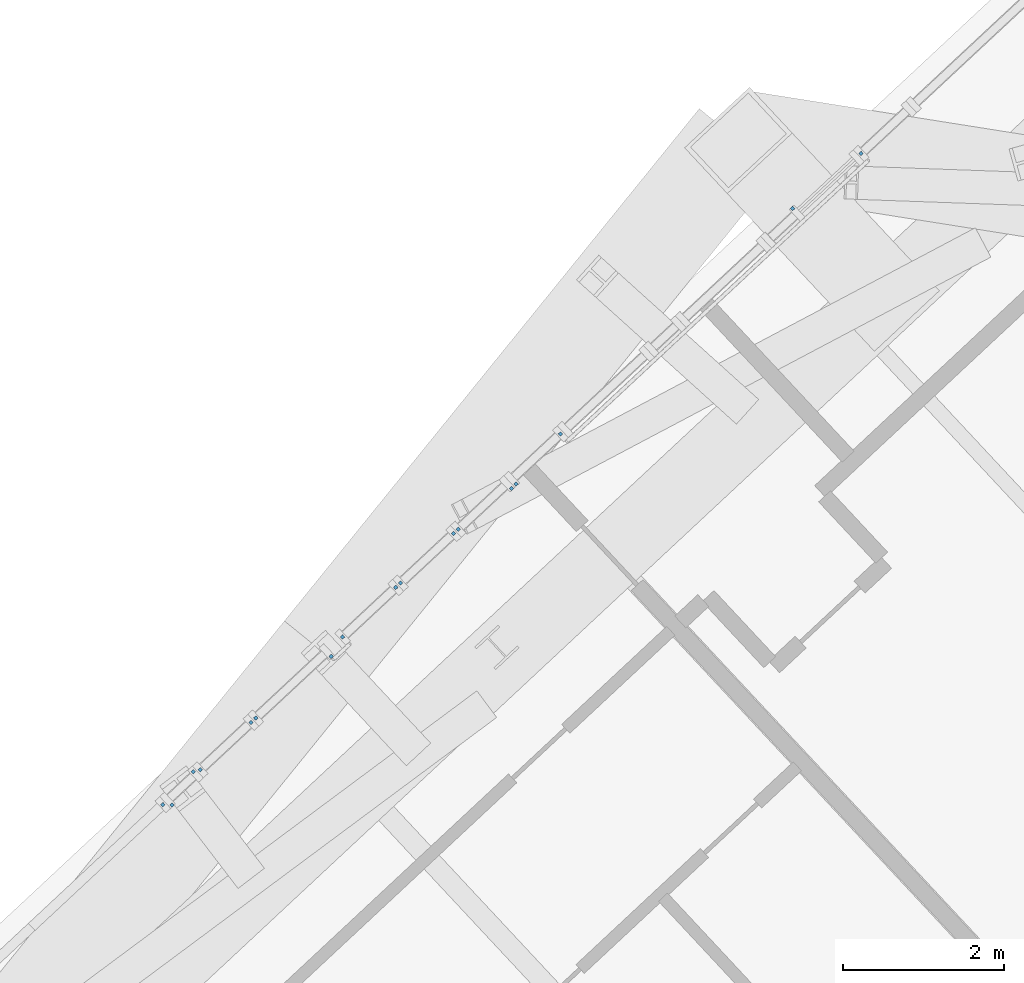
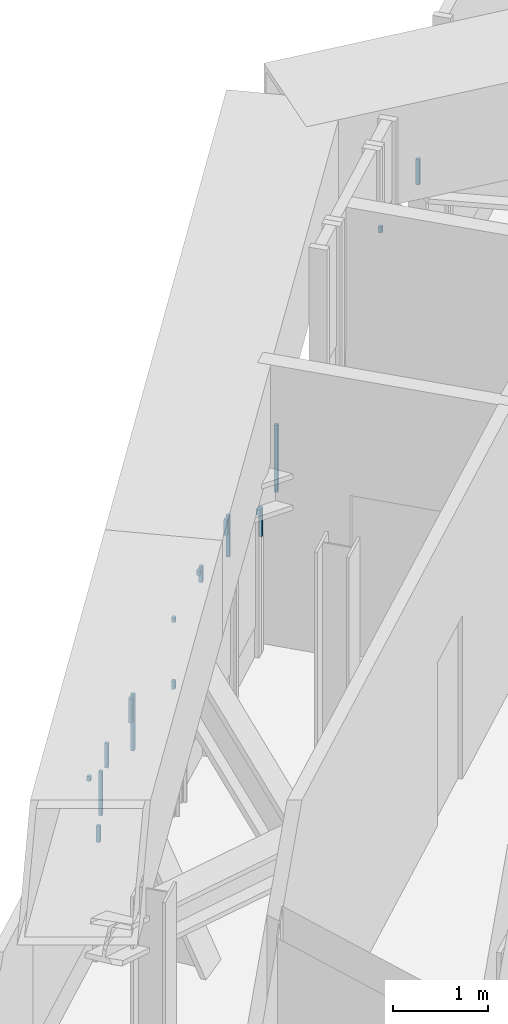
# One storey, part 25 of 31: 17 discrete accessories.
"""IFC4 building model written with IfcOpenShell, lengths in metres."""

import ifcopenshell
import ifcopenshell.guid

model = None  # the IFC model being written
_history = None  # IfcOwnerHistory: only IFC2X3 demands one
_inside = {}  # id of a spatial element -> (the spatial element, [elements in it])
_under = {}  # id of a project, library or spatial element -> (it, [spatial elements below it])
_declared = {}  # id of a project -> (the project, [libraries it declares])
_typed = {}  # id of a type object -> (the type object, [elements of that type])
_made_of = {}  # id of a material, layer set ... -> (it, [elements and type objects made of it])


def new_model(schema):
    """Start an empty IFC model of exactly this schema.

    Asked for "IFC4X3", IfcOpenShell would pick the latest addendum, in which some entities
    have other attributes; the version numbers below select the first issue.
    IFC2X3 requires an IfcOwnerHistory on every rooted entity: one is made here for all.
    """
    global model, _history
    if schema == "IFC4X3":
        model = ifcopenshell.file(schema_version=(4, 3, 0, 0))
    else:
        model = ifcopenshell.file(schema=schema)
    _inside.clear()
    _under.clear()
    _declared.clear()
    _typed.clear()
    _made_of.clear()
    _history = None
    if model.schema == "IFC2X3":
        org = make("IfcOrganization", Name="unknown")
        user = make(
            "IfcPersonAndOrganization",
            ThePerson=make("IfcPerson", FamilyName="unknown"),
            TheOrganization=org,
        )
        app = make(
            "IfcApplication",
            ApplicationDeveloper=org,
            Version="unknown",
            ApplicationFullName="unknown",
            ApplicationIdentifier="unknown",
        )
        _history = make(
            "IfcOwnerHistory",
            OwningUser=user,
            OwningApplication=app,
            ChangeAction="ADDED",
            CreationDate=0,
        )
    return model


def make(cls, **values):
    """One entity of the class cls with the attributes given. An attribute that is None is left unset."""
    return model.create_entity(
        cls, **{name: value for name, value in values.items() if value is not None}
    )


def rooted(cls, **values):
    """An entity with a GlobalId (a new one), such as an element, a storey or a relation."""
    return make(cls, GlobalId=ifcopenshell.guid.new(), OwnerHistory=_history, **values)


def si_unit(unit_type, name, prefix=None):
    """IfcSIUnit, for example si_unit("LENGTHUNIT", "METRE", prefix="MILLI")."""
    return make("IfcSIUnit", UnitType=unit_type, Prefix=prefix, Name=name)


def assignment(units):
    """IfcUnitAssignment: the units of a project."""
    return None if units is None else make("IfcUnitAssignment", Units=units)


def point(xyz):
    """IfcCartesianPoint."""
    return None if xyz is None else make("IfcCartesianPoint", Coordinates=xyz)


def direction(xyz):
    """IfcDirection."""
    return None if xyz is None else make("IfcDirection", DirectionRatios=xyz)


def frame(location, z_axis=None, x_axis=None):
    """IfcAxis2Placement3D, a coordinate frame: its origin and axes. An axis left out is left unset."""
    return make(
        "IfcAxis2Placement3D",
        Location=point(location),
        Axis=direction(z_axis),
        RefDirection=direction(x_axis),
    )


def frame_2d(location, x_axis=None):
    """IfcAxis2Placement2D, a coordinate frame in the plane: its origin and x axis."""
    return make(
        "IfcAxis2Placement2D", Location=point(location), RefDirection=direction(x_axis)
    )


def origin():
    """The frame at (0, 0, 0) with its axes left unset."""
    return frame((0.0, 0.0, 0.0))


def origin_2d():
    """The frame at (0, 0) in the plane with its x axis left unset."""
    return frame_2d((0.0, 0.0))


def place(relative_to, where):
    """IfcLocalPlacement: puts the frame where relative to a parent placement (None: the world)."""
    return make(
        "IfcLocalPlacement", PlacementRelTo=relative_to, RelativePlacement=where
    )


def context(
    kind, dimensions, precision=None, world=None, true_north=None, identifier=None
):
    """IfcGeometricRepresentationContext, for example the 3D "Model" context."""
    return make(
        "IfcGeometricRepresentationContext",
        ContextIdentifier=identifier,
        ContextType=kind,
        CoordinateSpaceDimension=dimensions,
        Precision=precision,
        WorldCoordinateSystem=world,
        TrueNorth=true_north,
    )


def subcontext(parent, identifier, kind, view, scale=None):
    """IfcGeometricRepresentationSubContext, for example "Body" below "Model"."""
    return make(
        "IfcGeometricRepresentationSubContext",
        ContextIdentifier=identifier,
        ContextType=kind,
        ParentContext=parent,
        TargetScale=scale,
        TargetView=view,
    )


def project(units=None, contexts=None):
    """IfcProject with its units and contexts."""
    return rooted(
        "IfcProject",
        Name="project",
        RepresentationContexts=contexts,
        UnitsInContext=assignment(units),
    )


def spatial(cls, under=None, at=None, **own):
    """A site, building, storey or space (cls), placed at a placement, below another one or the project."""
    s = rooted(cls, ObjectPlacement=at, **own)
    if under is not None:
        _under.setdefault(under.id(), (under, []))[1].append(s)
    return s


def profile(cls, at=None, kind="AREA", **sizes):
    """A parametric profile (cls). Its sizes go by their IFC names, for example OverallWidth=200.0."""
    return make(cls, ProfileType=kind, Position=at, **sizes)


def rectangle(**sizes):
    """IfcRectangleProfileDef."""
    return profile("IfcRectangleProfileDef", **sizes)


def extrude(swept, where, along, depth):
    """IfcExtrudedAreaSolid: the profile swept, set in the frame where, extruded along a direction by depth."""
    return make(
        "IfcExtrudedAreaSolid",
        SweptArea=swept,
        Position=where,
        ExtrudedDirection=direction(along),
        Depth=depth,
    )


def shape(context_of_items, identifier, shape_type, items):
    """IfcShapeRepresentation: the items that make up one representation, for example the "Body"."""
    return make(
        "IfcShapeRepresentation",
        ContextOfItems=context_of_items,
        RepresentationIdentifier=identifier,
        RepresentationType=shape_type,
        Items=items,
    )


def source(mapping_origin, context_of_items, identifier, shape_type, items):
    """IfcRepresentationMap: a shape defined once, which mapped items show again and again."""
    return make(
        "IfcRepresentationMap",
        MappingOrigin=mapping_origin,
        MappedRepresentation=shape(context_of_items, identifier, shape_type, items),
    )


def transform(
    local_origin,
    x_axis=None,
    y_axis=None,
    z_axis=None,
    scale=None,
    scale2=None,
    scale3=None,
    uniform=True,
):
    """IfcCartesianTransformationOperator3D, or its non-uniform kind. x_axis, y_axis, z_axis: its Axis1, 2, 3."""
    if uniform:
        return make(
            "IfcCartesianTransformationOperator3D",
            Axis1=direction(x_axis),
            Axis2=direction(y_axis),
            LocalOrigin=point(local_origin),
            Scale=scale,
            Axis3=direction(z_axis),
        )
    return make(
        "IfcCartesianTransformationOperator3DnonUniform",
        Axis1=direction(x_axis),
        Axis2=direction(y_axis),
        LocalOrigin=point(local_origin),
        Scale=scale,
        Axis3=direction(z_axis),
        Scale2=scale2,
        Scale3=scale3,
    )


def mapped(mapping_source, mapping_target):
    """IfcMappedItem: shows the shape of a source again, moved by a transform."""
    return make(
        "IfcMappedItem", MappingSource=mapping_source, MappingTarget=mapping_target
    )


def material(Name=None, Category=None):
    """IfcMaterial."""
    return make("IfcMaterial", Name=Name, Category=Category)


def made_of(thing, what):
    """Note that an element or type object is made of a material, layer set ...; save() writes the relation."""
    if what is not None:
        _made_of.setdefault(what.id(), (what, []))[1].append(thing)
    return thing


def element(
    cls,
    number,
    at=None,
    inside=None,
    cuts=None,
    type_object=None,
    material=None,
    context=None,
    identifier="Body",
    shape_type=None,
    held_by="IfcProductDefinitionShape",
    body=None,
    shapes=None,
    **own,
):
    """One element of the class cls, such as IfcWall. Its Tag is "e" and its number.

    at: its placement. inside: the storey or other place that contains it. cuts: it is an
    opening in that element (IfcRelVoidsElement). A single representation is given by context,
    identifier, shape_type and body (its items); several are given by shapes. held_by: the class
    of the entity that holds the representations. save() writes the other relations.
    """
    e = rooted(cls, Tag="e%d" % number, ObjectPlacement=at, **own)
    if body is not None:
        shapes = [shape(context, identifier, shape_type, body)]
    if shapes is not None:
        e.Representation = make(held_by, Representations=shapes)
    if inside is not None:
        _inside.setdefault(inside.id(), (inside, []))[1].append(e)
    if cuts is not None:
        rooted(
            "IfcRelVoidsElement", RelatingBuildingElement=cuts, RelatedOpeningElement=e
        )
    if type_object is not None:
        _typed.setdefault(type_object.id(), (type_object, []))[1].append(e)
    return made_of(e, material)


def aggregate(whole, parts):
    """IfcRelAggregates: a whole, such as a stair, and the parts it consists of."""
    return rooted("IfcRelAggregates", RelatingObject=whole, RelatedObjects=parts)


def save(model, path):
    """Write the relations noted so far, then the file.

    IfcRelAggregates (storeys below a building ...), IfcRelContainedInSpatialStructure (elements
    in a storey), IfcRelDefinesByType, IfcRelAssociatesMaterial and IfcRelDeclares: one each for
    every whole, place, type object, material and project.
    """
    for whole, parts in _under.values():
        aggregate(whole, parts)
    for where, things in _inside.values():
        rooted(
            "IfcRelContainedInSpatialStructure",
            RelatedElements=things,
            RelatingStructure=where,
        )
    for kind, things in _typed.values():
        rooted("IfcRelDefinesByType", RelatedObjects=things, RelatingType=kind)
    for what, things in _made_of.values():
        rooted("IfcRelAssociatesMaterial", RelatedObjects=things, RelatingMaterial=what)
    for by, libraries in _declared.values():
        rooted("IfcRelDeclares", RelatingContext=by, RelatedDefinitions=libraries)
    model.write(path)


model = new_model("IFC4")

# Units and contexts
model_context = context("Model", 3, precision=1e-05, world=origin(), true_north=direction((0.0, 1.0)))
body_context = subcontext(model_context, "Body", "Model", "MODEL_VIEW")
ifc_project = project(units=[si_unit("LENGTHUNIT", "METRE"), si_unit("AREAUNIT", "SQUARE_METRE"), si_unit("VOLUMEUNIT", "CUBIC_METRE"), si_unit("PLANEANGLEUNIT", "RADIAN"), si_unit("MASSUNIT", "GRAM", prefix="KILO")], contexts=[model_context])

# Site, building, storey
site_placement = place(None, origin())
site = spatial("IfcSite", under=ifc_project, at=site_placement, CompositionType="ELEMENT")
building_placement = place(site_placement, origin())
building = spatial("IfcBuilding", under=site, at=building_placement, Name="Triune Harvest Tower", CompositionType="ELEMENT")
storey_placement = place(building_placement, frame((0.0, 0.0, 134.300048828125)))
storey = spatial("IfcBuildingStorey", under=building, at=storey_placement, Name="L34", CompositionType="ELEMENT", Elevation=134.300048828125)

# Discrete accessories
ifc_material = material(Name="Steel ASTM A992 Gr 50", Category="steel")
shared_shape_1 = source(origin(), body_context, "Body", "SweptSolid", [
    extrude(rectangle(XDim=0.0400390625, YDim=0.0400390625, at=origin_2d()), origin(), (0.0, 0.0, 1.0), 0.06005859375),
])
for number, where, z_axis, x_axis, name in (
    (1, (-4.3291015625, 26.077392578125, 2.2900390625), (0.0, 0.0, 1.0), (-0.731414404618, -0.681933258257, 0.0), "Mullion end bracket B3-F3 L34.1101 upper"),
    (2, (-4.9873046875, 25.46337890625, 2.2900390625), (0.0, 0.0, 1.0), (-0.731414404618, -0.681933258257, 0.0), "Mullion end bracket B3-F3 L34.1101 upper"),
    (3, (-7.21728515625, 23.384033203125, 2.2900390625), (0.0, 0.0, 1.0), (-0.731352511306, -0.681999636514, 0.0), "Mullion end bracket B3-F3 L34.1501 upper"),
):
    element("IfcDiscreteAccessory", number, at=place(storey_placement, frame(where, z_axis=z_axis, x_axis=x_axis)), inside=storey, material=ifc_material, Name=name, ObjectType="BRACKET", PredefinedType="USERDEFINED", context=body_context, shape_type="MappedRepresentation", body=[
        mapped(shared_shape_1, transform((0.0, 0.0, 0.0), scale=1.0)),
    ])
shared_shape_2 = source(origin(), body_context, "Body", "SweptSolid", [
    extrude(rectangle(XDim=0.0400390625, YDim=0.0400390625, at=origin_2d()), origin(), (0.0, 0.0, 1.0), 0.8623046875),
])
discrete_accessory_1_placement = place(storey_placement, frame((-2.2861328125, 27.982421875, 1.48779296875), z_axis=(0.0, 0.0, 1.0), x_axis=(-0.731326323861, -0.682027717932, 0.0)))
element("IfcDiscreteAccessory", 4, at=discrete_accessory_1_placement, inside=storey, material=ifc_material, Name="Mullion end bracket B3-F3 L34.801 upper", ObjectType="BRACKET", PredefinedType="USERDEFINED", context=body_context, shape_type="MappedRepresentation", body=[
    mapped(shared_shape_2, transform((0.0, 0.0, 0.0), scale=1.0)),
])
shared_shape_3 = source(origin(), body_context, "Body", "SweptSolid", [
    extrude(rectangle(XDim=0.0400390625, YDim=0.0400390625, at=origin_2d()), origin(), (0.0, 0.0, 1.0), 0.53271484375),
])
discrete_accessory_2_placement = place(storey_placement, frame((-3.5537109375, 26.80029296875, 1.817138671875), z_axis=(0.0, 0.0, 1.0), x_axis=(-0.731381078199, -0.681969001094, 0.0)))
element("IfcDiscreteAccessory", 5, at=discrete_accessory_2_placement, inside=storey, material=ifc_material, Name="Mullion end bracket B3-F3 L34.901 upper", ObjectType="BRACKET", PredefinedType="USERDEFINED", context=body_context, shape_type="MappedRepresentation", body=[
    mapped(shared_shape_3, transform((0.0, 0.0, 0.0), scale=1.0)),
])
shared_shape_4 = source(origin(), body_context, "Body", "SweptSolid", [
    extrude(rectangle(XDim=0.0400390625, YDim=0.0400390625, at=origin_2d()), origin(), (0.0, 0.0, 1.0), 0.203369140625),
])
for number, where, z_axis, x_axis, name in (
    (6, (-3.6123046875, 26.745849609375, 2.146484375), (0.0, 0.0, 1.0), (-0.731316800886, -0.682037929108, 0.0), "Mullion end bracket B3-F3 L34.1001 upper"),
    (7, (-4.2705078125, 26.1318359375, 2.146484375), (0.0, 0.0, 1.0), (-0.731316800886, -0.682037929108, 0.0), "Mullion end bracket B3-F3 L34.1001 upper"),
):
    element("IfcDiscreteAccessory", number, at=place(storey_placement, frame(where, z_axis=z_axis, x_axis=x_axis)), inside=storey, material=ifc_material, Name=name, ObjectType="BRACKET", PredefinedType="USERDEFINED", context=body_context, shape_type="MappedRepresentation", body=[
        mapped(shared_shape_4, transform((0.0, 0.0, 0.0), scale=1.0)),
    ])
shared_shape_5 = source(origin(), body_context, "Body", "SweptSolid", [
    extrude(rectangle(XDim=0.0400390625, YDim=0.0400390625, at=origin_2d()), origin(), (0.0, 0.0, 1.0), 0.0703125),
])
discrete_accessory_3_placement = place(storey_placement, frame((-2.89453125, 27.3056640625, 1.8173828125), z_axis=(0.0, 0.0, 1.0), x_axis=(-0.731381078199, -0.681969001094, 0.0)))
element("IfcDiscreteAccessory", 8, at=discrete_accessory_3_placement, inside=storey, material=ifc_material, Name="Mullion end bracket B3-F3 L34.901 upper", ObjectType="BRACKET", PredefinedType="USERDEFINED", context=body_context, shape_type="MappedRepresentation", body=[
    mapped(shared_shape_5, transform((0.0, 0.0, 0.0), scale=1.0)),
])
shared_shape_6 = source(origin(), body_context, "Body", "SweptSolid", [
    extrude(rectangle(XDim=0.0400390625, YDim=0.0400390625, at=origin_2d()), origin(), (0.0, 0.0, 1.0), 0.724609375),
])
discrete_accessory_4_placement = place(storey_placement, frame((-6.06494140625, 24.45849609375, 1.62548828125), z_axis=(0.0, 0.0, 1.0), x_axis=(-0.731383458715, -0.681966448088, 0.0)))
element("IfcDiscreteAccessory", 9, at=discrete_accessory_4_placement, inside=storey, material=ifc_material, Name="Mullion end bracket B3-F3 L34.1201 upper", ObjectType="BRACKET", PredefinedType="USERDEFINED", context=body_context, shape_type="MappedRepresentation", body=[
    mapped(shared_shape_6, transform((0.0, 0.0, 0.0), scale=1.0)),
])
shared_shape_7 = source(origin(), body_context, "Body", "SweptSolid", [
    extrude(rectangle(XDim=0.0400390625, YDim=0.0400390625, at=origin_2d()), origin(), (0.0, 0.0, 1.0), 0.3134765625),
])
for number, where, z_axis, x_axis, name in (
    (10, (-6.12353515625, 24.404052734375, 2.036376953125), (0.0, 0.0, 1.0), (-0.731358462848, -0.681993254234, 0.0), "Mullion end bracket B3-F3 L34.1301 upper"),
    (11, (-6.75390625, 23.816162109375, 2.036376953125), (0.0, 0.0, 1.0), (-0.731358462848, -0.681993254234, 0.0), "Mullion end bracket B3-F3 L34.1301 upper"),
):
    element("IfcDiscreteAccessory", number, at=place(storey_placement, frame(where, z_axis=z_axis, x_axis=x_axis)), inside=storey, material=ifc_material, Name=name, ObjectType="BRACKET", PredefinedType="USERDEFINED", context=body_context, shape_type="MappedRepresentation", body=[
        mapped(shared_shape_7, transform((0.0, 0.0, 0.0), scale=1.0)),
    ])
discrete_accessory_5_placement = place(storey_placement, frame((1.44287109375, 31.459716796875, 2.0224609375), z_axis=(0.0, 0.0, 1.0), x_axis=(-0.731325133497, -0.682028994336, 0.0)))
element("IfcDiscreteAccessory", 12, at=discrete_accessory_5_placement, inside=storey, material=ifc_material, Name="Mullion end bracket B3-F3 L34.101 upper", ObjectType="BRACKET", PredefinedType="USERDEFINED", context=body_context, shape_type="SweptSolid", body=[
    extrude(rectangle(XDim=0.0400390625, YDim=0.0400390625, at=origin_2d()), origin(), (0.0, 0.0, 1.0), 0.327392578125),
])
discrete_accessory_6_placement = place(storey_placement, frame((0.59375, 30.77734375, 2.1181640625), z_axis=(0.0, 0.0, 1.0), x_axis=(-0.731313229734, -0.682041758264, 0.0)))
element("IfcDiscreteAccessory", 13, at=discrete_accessory_6_placement, inside=storey, material=ifc_material, Name="Mullion end bracket B3-F3 L34.201 lower", ObjectType="BRACKET", PredefinedType="USERDEFINED", context=body_context, shape_type="SweptSolid", body=[
    extrude(rectangle(XDim=0.0400390625, YDim=0.0400390625, at=origin_2d()), origin(), (0.0, 0.0, 1.0), 0.076416015625),
])
discrete_accessory_7_placement = place(storey_placement, frame((-2.836181640625, 27.360107421875, 1.48779296875), z_axis=(0.0, 0.0, 1.0), x_axis=(-0.731326323861, -0.682027717932, 0.0)))
element("IfcDiscreteAccessory", 14, at=discrete_accessory_7_placement, inside=storey, material=ifc_material, Name="Mullion end bracket B3-F3 L34.801 upper", ObjectType="BRACKET", PredefinedType="USERDEFINED", context=body_context, shape_type="SweptSolid", body=[
    extrude(rectangle(XDim=0.0400390625, YDim=0.0400390625, at=origin_2d()), origin(), (0.0, 0.0, 1.0), 0.370849609375),
])
discrete_accessory_8_placement = place(storey_placement, frame((-5.129150390625, 25.2216796875, 1.62548828125), z_axis=(0.0, 0.0, 1.0), x_axis=(-0.731383458715, -0.681966448088, 0.0)))
element("IfcDiscreteAccessory", 15, at=discrete_accessory_8_placement, inside=storey, material=ifc_material, Name="Mullion end bracket B3-F3 L34.1201 upper", ObjectType="BRACKET", PredefinedType="USERDEFINED", context=body_context, shape_type="SweptSolid", body=[
    extrude(rectangle(XDim=0.0400390625, YDim=0.0400390625, at=origin_2d()), origin(), (0.0, 0.0, 1.0), 0.105712890625),
])
discrete_accessory_9_placement = place(storey_placement, frame((-6.839599609375, 23.791015625, 1.466796875), z_axis=(0.0, 0.0, 1.0), x_axis=(-0.731331085295, -0.682022612295, 0.0)))
element("IfcDiscreteAccessory", 16, at=discrete_accessory_9_placement, inside=storey, material=ifc_material, Name="Mullion end bracket B3-F3 L34.1401 upper", ObjectType="BRACKET", PredefinedType="USERDEFINED", context=body_context, shape_type="SweptSolid", body=[
    extrude(rectangle(XDim=0.0400390625, YDim=0.0400390625, at=origin_2d()), origin(), (0.0, 0.0, 1.0), 0.566650390625),
])
discrete_accessory_10_placement = place(storey_placement, frame((-7.104248046875, 23.380126953125, 1.466796875), z_axis=(0.0, 0.0, 1.0), x_axis=(-0.731331085295, -0.682022612295, 0.0)))
element("IfcDiscreteAccessory", 17, at=discrete_accessory_10_placement, inside=storey, material=ifc_material, Name="Mullion end bracket B3-F3 L34.1401 upper", ObjectType="BRACKET", PredefinedType="USERDEFINED", context=body_context, shape_type="SweptSolid", body=[
    extrude(rectangle(XDim=0.0400390625, YDim=0.0400390625, at=origin_2d()), origin(), (0.0, 0.0, 1.0), 0.210205078125),
])

save(model, "model.ifc")
